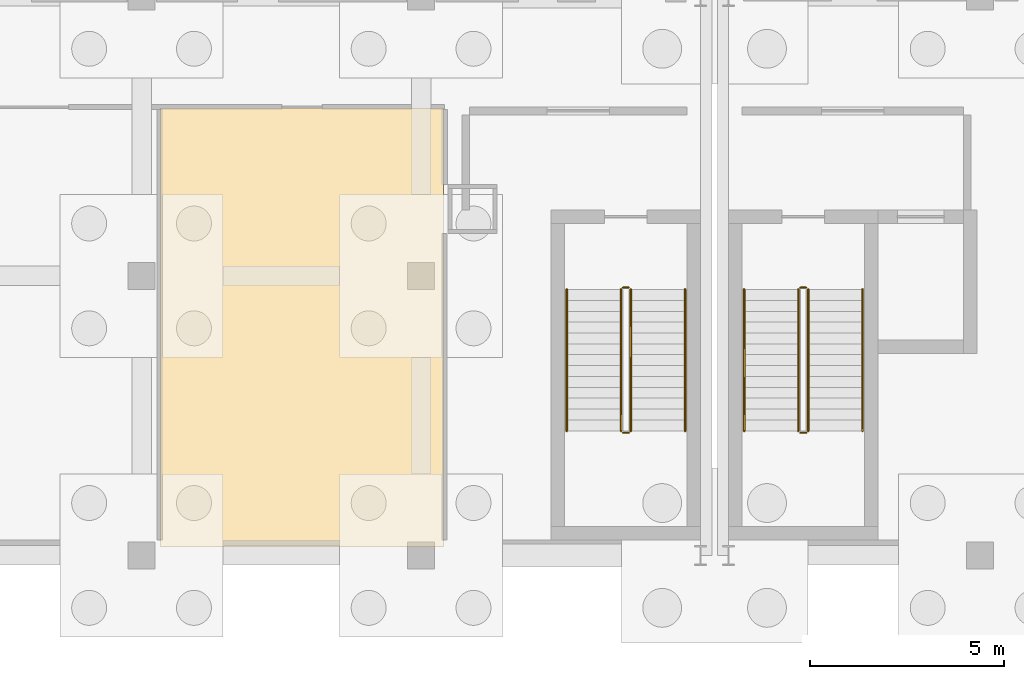
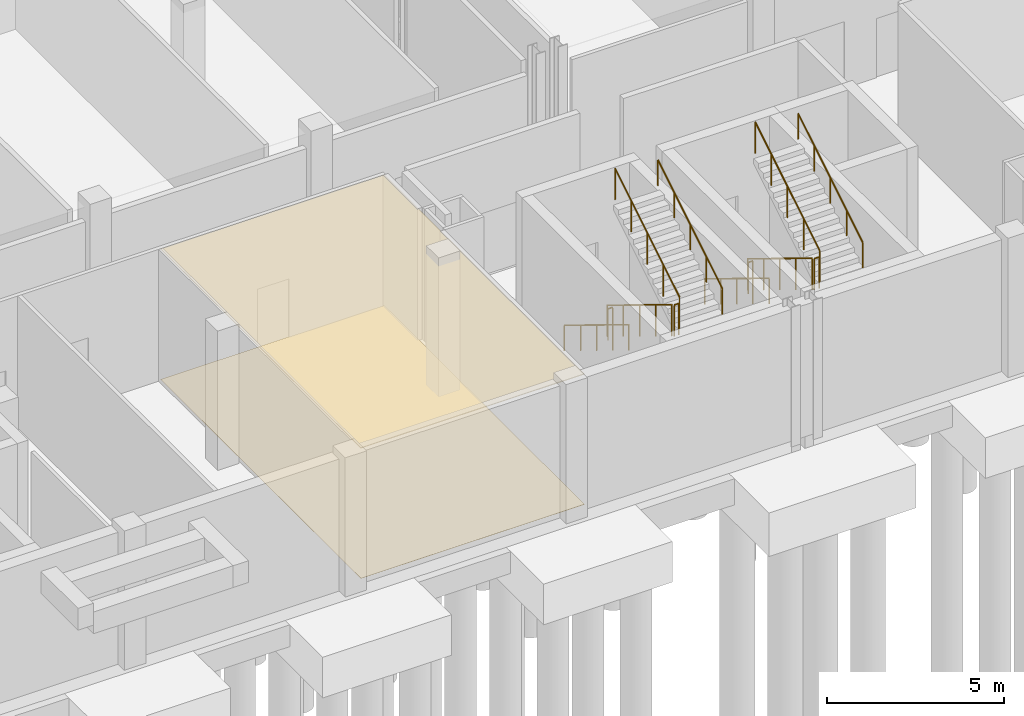
# One storey, part 28 of 35: 12 railings, 2 coverings.
"""IFC4 building model written with IfcOpenShell, lengths in metres."""

import ifcopenshell
import ifcopenshell.guid

model = None  # the IFC model being written
_history = None  # IfcOwnerHistory: only IFC2X3 demands one
_inside = {}  # id of a spatial element -> (the spatial element, [elements in it])
_under = {}  # id of a project, library or spatial element -> (it, [spatial elements below it])
_declared = {}  # id of a project -> (the project, [libraries it declares])
_typed = {}  # id of a type object -> (the type object, [elements of that type])
_made_of = {}  # id of a material, layer set ... -> (it, [elements and type objects made of it])


def new_model(schema):
    """Start an empty IFC model of exactly this schema.

    Asked for "IFC4X3", IfcOpenShell would pick the latest addendum, in which some entities
    have other attributes; the version numbers below select the first issue.
    IFC2X3 requires an IfcOwnerHistory on every rooted entity: one is made here for all.
    """
    global model, _history
    if schema == "IFC4X3":
        model = ifcopenshell.file(schema_version=(4, 3, 0, 0))
    else:
        model = ifcopenshell.file(schema=schema)
    _inside.clear()
    _under.clear()
    _declared.clear()
    _typed.clear()
    _made_of.clear()
    _history = None
    if model.schema == "IFC2X3":
        org = make("IfcOrganization", Name="unknown")
        user = make(
            "IfcPersonAndOrganization",
            ThePerson=make("IfcPerson", FamilyName="unknown"),
            TheOrganization=org,
        )
        app = make(
            "IfcApplication",
            ApplicationDeveloper=org,
            Version="unknown",
            ApplicationFullName="unknown",
            ApplicationIdentifier="unknown",
        )
        _history = make(
            "IfcOwnerHistory",
            OwningUser=user,
            OwningApplication=app,
            ChangeAction="ADDED",
            CreationDate=0,
        )
    return model


def make(cls, **values):
    """One entity of the class cls with the attributes given. An attribute that is None is left unset."""
    return model.create_entity(
        cls, **{name: value for name, value in values.items() if value is not None}
    )


def rooted(cls, **values):
    """An entity with a GlobalId (a new one), such as an element, a storey or a relation."""
    return make(cls, GlobalId=ifcopenshell.guid.new(), OwnerHistory=_history, **values)


def si_unit(unit_type, name, prefix=None):
    """IfcSIUnit, for example si_unit("LENGTHUNIT", "METRE", prefix="MILLI")."""
    return make("IfcSIUnit", UnitType=unit_type, Prefix=prefix, Name=name)


def assignment(units):
    """IfcUnitAssignment: the units of a project."""
    return None if units is None else make("IfcUnitAssignment", Units=units)


def point(xyz):
    """IfcCartesianPoint."""
    return None if xyz is None else make("IfcCartesianPoint", Coordinates=xyz)


def direction(xyz):
    """IfcDirection."""
    return None if xyz is None else make("IfcDirection", DirectionRatios=xyz)


def frame(location, z_axis=None, x_axis=None):
    """IfcAxis2Placement3D, a coordinate frame: its origin and axes. An axis left out is left unset."""
    return make(
        "IfcAxis2Placement3D",
        Location=point(location),
        Axis=direction(z_axis),
        RefDirection=direction(x_axis),
    )


def frame_2d(location, x_axis=None):
    """IfcAxis2Placement2D, a coordinate frame in the plane: its origin and x axis."""
    return make(
        "IfcAxis2Placement2D", Location=point(location), RefDirection=direction(x_axis)
    )


def origin():
    """The frame at (0, 0, 0) with its axes left unset."""
    return frame((0.0, 0.0, 0.0))


def origin_2d():
    """The frame at (0, 0) in the plane with its x axis left unset."""
    return frame_2d((0.0, 0.0))


def place(relative_to, where):
    """IfcLocalPlacement: puts the frame where relative to a parent placement (None: the world)."""
    return make(
        "IfcLocalPlacement", PlacementRelTo=relative_to, RelativePlacement=where
    )


def context(
    kind, dimensions, precision=None, world=None, true_north=None, identifier=None
):
    """IfcGeometricRepresentationContext, for example the 3D "Model" context."""
    return make(
        "IfcGeometricRepresentationContext",
        ContextIdentifier=identifier,
        ContextType=kind,
        CoordinateSpaceDimension=dimensions,
        Precision=precision,
        WorldCoordinateSystem=world,
        TrueNorth=true_north,
    )


def subcontext(parent, identifier, kind, view, scale=None):
    """IfcGeometricRepresentationSubContext, for example "Body" below "Model"."""
    return make(
        "IfcGeometricRepresentationSubContext",
        ContextIdentifier=identifier,
        ContextType=kind,
        ParentContext=parent,
        TargetScale=scale,
        TargetView=view,
    )


def project(units=None, contexts=None):
    """IfcProject with its units and contexts."""
    return rooted(
        "IfcProject",
        Name="project",
        RepresentationContexts=contexts,
        UnitsInContext=assignment(units),
    )


def spatial(cls, under=None, at=None, **own):
    """A site, building, storey or space (cls), placed at a placement, below another one or the project."""
    s = rooted(cls, ObjectPlacement=at, **own)
    if under is not None:
        _under.setdefault(under.id(), (under, []))[1].append(s)
    return s


def polyline(points):
    """IfcPolyline through the points."""
    return make("IfcPolyline", Points=[point(p) for p in points])


def profile(cls, at=None, kind="AREA", **sizes):
    """A parametric profile (cls). Its sizes go by their IFC names, for example OverallWidth=200.0."""
    return make(cls, ProfileType=kind, Position=at, **sizes)


def circle(**sizes):
    """IfcCircleProfileDef."""
    return profile("IfcCircleProfileDef", **sizes)


def outline(outer, holes=None, kind="AREA"):
    """IfcArbitraryClosedProfileDef: a profile drawn as a closed curve; with holes, ...WithVoids."""
    if holes is None:
        return make("IfcArbitraryClosedProfileDef", ProfileType=kind, OuterCurve=outer)
    return make(
        "IfcArbitraryProfileDefWithVoids",
        ProfileType=kind,
        OuterCurve=outer,
        InnerCurves=holes,
    )


def extrude(swept, where, along, depth):
    """IfcExtrudedAreaSolid: the profile swept, set in the frame where, extruded along a direction by depth."""
    return make(
        "IfcExtrudedAreaSolid",
        SweptArea=swept,
        Position=where,
        ExtrudedDirection=direction(along),
        Depth=depth,
    )


def shape(context_of_items, identifier, shape_type, items):
    """IfcShapeRepresentation: the items that make up one representation, for example the "Body"."""
    return make(
        "IfcShapeRepresentation",
        ContextOfItems=context_of_items,
        RepresentationIdentifier=identifier,
        RepresentationType=shape_type,
        Items=items,
    )


def material(Name=None, Category=None):
    """IfcMaterial."""
    return make("IfcMaterial", Name=Name, Category=Category)


def layer(
    of_material, thickness, ventilated=None, Name=None, Category=None, Priority=None
):
    """IfcMaterialLayer: one layer of a wall or slab, of a material (None: an air gap)."""
    return make(
        "IfcMaterialLayer",
        Material=of_material,
        LayerThickness=thickness,
        IsVentilated=ventilated,
        Name=Name,
        Category=Category,
        Priority=Priority,
    )


def layer_set(layers, Name=None):
    """IfcMaterialLayerSet."""
    return make("IfcMaterialLayerSet", MaterialLayers=layers, LayerSetName=Name)


def made_of(thing, what):
    """Note that an element or type object is made of a material, layer set ...; save() writes the relation."""
    if what is not None:
        _made_of.setdefault(what.id(), (what, []))[1].append(thing)
    return thing


def type_object(cls, material=None, **own):
    """A type object (cls), such as IfcWallType, which elements share."""
    return made_of(rooted(cls, **own), material)


def element(
    cls,
    number,
    at=None,
    inside=None,
    cuts=None,
    type_object=None,
    material=None,
    context=None,
    identifier="Body",
    shape_type=None,
    held_by="IfcProductDefinitionShape",
    body=None,
    shapes=None,
    **own,
):
    """One element of the class cls, such as IfcWall. Its Tag is "e" and its number.

    at: its placement. inside: the storey or other place that contains it. cuts: it is an
    opening in that element (IfcRelVoidsElement). A single representation is given by context,
    identifier, shape_type and body (its items); several are given by shapes. held_by: the class
    of the entity that holds the representations. save() writes the other relations.
    """
    e = rooted(cls, Tag="e%d" % number, ObjectPlacement=at, **own)
    if body is not None:
        shapes = [shape(context, identifier, shape_type, body)]
    if shapes is not None:
        e.Representation = make(held_by, Representations=shapes)
    if inside is not None:
        _inside.setdefault(inside.id(), (inside, []))[1].append(e)
    if cuts is not None:
        rooted(
            "IfcRelVoidsElement", RelatingBuildingElement=cuts, RelatedOpeningElement=e
        )
    if type_object is not None:
        _typed.setdefault(type_object.id(), (type_object, []))[1].append(e)
    return made_of(e, material)


def aggregate(whole, parts):
    """IfcRelAggregates: a whole, such as a stair, and the parts it consists of."""
    return rooted("IfcRelAggregates", RelatingObject=whole, RelatedObjects=parts)


def save(model, path):
    """Write the relations noted so far, then the file.

    IfcRelAggregates (storeys below a building ...), IfcRelContainedInSpatialStructure (elements
    in a storey), IfcRelDefinesByType, IfcRelAssociatesMaterial and IfcRelDeclares: one each for
    every whole, place, type object, material and project.
    """
    for whole, parts in _under.values():
        aggregate(whole, parts)
    for where, things in _inside.values():
        rooted(
            "IfcRelContainedInSpatialStructure",
            RelatedElements=things,
            RelatingStructure=where,
        )
    for kind, things in _typed.values():
        rooted("IfcRelDefinesByType", RelatedObjects=things, RelatingType=kind)
    for what, things in _made_of.values():
        rooted("IfcRelAssociatesMaterial", RelatedObjects=things, RelatingMaterial=what)
    for by, libraries in _declared.values():
        rooted("IfcRelDeclares", RelatingContext=by, RelatedDefinitions=libraries)
    model.write(path)


model = new_model("IFC4")

# Units and contexts
model_context = context("Model", 3, precision=1e-05, world=origin(), true_north=direction((0.0, 1.0)))
body_context = subcontext(model_context, "Body", "Model", "MODEL_VIEW")
ifc_project = project(units=[si_unit("LENGTHUNIT", "METRE"), si_unit("AREAUNIT", "SQUARE_METRE"), si_unit("VOLUMEUNIT", "CUBIC_METRE"), si_unit("PLANEANGLEUNIT", "RADIAN"), si_unit("MASSUNIT", "GRAM", prefix="KILO")], contexts=[model_context])

# Site, building, storey
site_placement = place(None, origin())
site = spatial("IfcSite", under=ifc_project, at=site_placement, CompositionType="ELEMENT")
building_placement = place(site_placement, origin())
building = spatial("IfcBuilding", under=site, at=building_placement, Name="Zarrinpeak Specialist Clinic", CompositionType="ELEMENT")
storey_placement = place(building_placement, frame((0.0, 0.0, -4.800048828125)))
storey = spatial("IfcBuildingStorey", under=building, at=storey_placement, Name="B01", CompositionType="ELEMENT", Elevation=-4.800048828125)

# Coverings
ifc_material_1 = material(Name="Hygienic Acoustic Mineral Fibre Tile")
ifc_layer_1 = layer(ifc_material_1, 0.02490234375)
ifc_layer_set_1 = layer_set([ifc_layer_1], Name="Hygienic Acoustic Mineral Fibre Tile")
covering_type_1 = type_object("IfcCoveringType", Name="CV-CEIL-AC", PredefinedType="CEILING", material=ifc_layer_set_1)
covering_1_placement = place(storey_placement, frame((0.0, 0.0, 4.485107421875)))
element("IfcCovering", 1, at=covering_1_placement, inside=storey, type_object=covering_type_1, Name="B01 Specialist Consultation Room 4 Hygienic Acoustic Ceiling", PredefinedType="CEILING", context=body_context, shape_type="SweptSolid", body=[
    extrude(outline(polyline([(43.68994140625, 0.219970703125), (50.97998046875, 0.219970703125), (50.97998046875, 11.530029296875), (43.68994140625, 11.530029296875), (43.68994140625, 0.219970703125)])), origin(), (0.0, 0.0, 1.0), 0.02490234375),
])
ifc_material_2 = material(Name="Homogeneous Antimicrobial Clinical Vinyl")
ifc_layer_2 = layer(ifc_material_2, 0.008056640625)
ifc_layer_set_2 = layer_set([ifc_layer_2], Name="Homogeneous Antimicrobial Clinical Vinyl")
covering_type_2 = type_object("IfcCoveringType", Name="CV-FLR-VN", PredefinedType="FLOORING", material=ifc_layer_set_2)
covering_2_placement = place(storey_placement, frame((0.0, 0.0, 0.0009765625)))
element("IfcCovering", 2, at=covering_2_placement, inside=storey, type_object=covering_type_2, Name="B01 Specialist Consultation Room 4 Antimicrobial Vinyl Flooring", PredefinedType="FLOORING", context=body_context, shape_type="SweptSolid", body=[
    extrude(outline(polyline([(43.68994140625, 0.219970703125), (50.97998046875, 0.219970703125), (50.97998046875, 11.530029296875), (43.68994140625, 11.530029296875), (43.68994140625, 0.219970703125)])), origin(), (0.0, 0.0, 1.0), 0.008056640625),
])

# Railings
ifc_material_3 = material(Name="Laminated Safety Glass and Stainless Steel 316", Category="steel")
ifc_layer_3 = layer(ifc_material_3, 0.06005859375)
ifc_layer_set_3 = layer_set([ifc_layer_3], Name="Laminated Safety Glass and Stainless Steel 316")
railing_type_1 = type_object("IfcRailingType", Name="RL-GRD115", PredefinedType="GUARDRAIL", material=ifc_layer_set_3)
railing_1_placement = place(storey_placement, frame((55.550048828125, 6.85009765625, 0.17138671875)))
element("IfcRailing", 3, at=railing_1_placement, inside=storey, type_object=railing_type_1, Name="B01 ST-04 stair guard 1", PredefinedType="GUARDRAIL", context=body_context, shape_type="SweptSolid", body=[
    extrude(circle(Radius=0.02392578125, at=origin_2d()), frame((0.0, 0.0, 1.076171875), z_axis=(0.0, -0.852840387347, 0.522171689878), x_axis=(1.0, 0.0, 0.0)), (0.0, 0.0, 1.0), 4.268310546875),
    extrude(circle(Radius=0.02099609375, at=origin_2d()), origin(), (0.0, 0.0, 1.0), 1.052001953125),
    extrude(circle(Radius=0.02099609375, at=origin_2d()), frame((0.0, -0.91015625, 0.55712890625)), (0.0, 0.0, 1.0), 1.052001953125),
    extrude(circle(Radius=0.02099609375, at=origin_2d()), frame((0.0, -1.820068359375, 1.1142578125)), (0.0, 0.0, 1.0), 1.052001953125),
    extrude(circle(Radius=0.02099609375, at=origin_2d()), frame((0.0, -2.72998046875, 1.671630859375)), (0.0, 0.0, 1.0), 1.052001953125),
    extrude(circle(Radius=0.02099609375, at=origin_2d()), frame((0.0, -3.64013671875, 2.228759765625)), (0.0, 0.0, 1.0), 1.052001953125),
])
railing_2_placement = place(storey_placement, frame((55.60009765625, 3.159912109375, 2.400146484375)))
element("IfcRailing", 4, at=railing_2_placement, inside=storey, type_object=railing_type_1, Name="B01 ST-04 stair guard 2", PredefinedType="GUARDRAIL", context=body_context, shape_type="SweptSolid", body=[
    extrude(circle(Radius=0.02392578125, at=origin_2d()), frame((0.0, 0.0, 1.076171875), z_axis=(1.0, 0.0, 0.0), x_axis=(0.0, 1.0, 0.0)), (0.0, 0.0, 1.0), 0.14990234375),
    extrude(circle(Radius=0.02099609375, at=origin_2d()), origin(), (0.0, 0.0, 1.0), 1.052001953125),
    extrude(circle(Radius=0.02099609375, at=origin_2d()), frame((0.14990234375, 0.0, 0.0)), (0.0, 0.0, 1.0), 1.052001953125),
])
railing_3_placement = place(storey_placement, frame((55.800048828125, 3.2099609375, 2.571533203125)))
element("IfcRailing", 5, at=railing_3_placement, inside=storey, type_object=railing_type_1, Name="B01 ST-04 stair guard 3", PredefinedType="GUARDRAIL", context=body_context, shape_type="SweptSolid", body=[
    extrude(circle(Radius=0.02392578125, at=origin_2d()), frame((0.0, 0.0, 1.076171875), z_axis=(0.0, 0.852865859571, 0.52213008492), x_axis=(-1.0, 0.0, 0.0)), (0.0, 0.0, 1.0), 4.26806640625),
    extrude(circle(Radius=0.02099609375, at=origin_2d()), origin(), (0.0, 0.0, 1.0), 1.052001953125),
    extrude(circle(Radius=0.02099609375, at=origin_2d()), frame((0.0, 0.91015625, 0.55712890625)), (0.0, 0.0, 1.0), 1.052001953125),
    extrude(circle(Radius=0.02099609375, at=origin_2d()), frame((0.0, 1.820068359375, 1.1142578125)), (0.0, 0.0, 1.0), 1.052001953125),
    extrude(circle(Radius=0.02099609375, at=origin_2d()), frame((0.0, 2.72998046875, 1.67138671875)), (0.0, 0.0, 1.0), 1.052001953125),
    extrude(circle(Radius=0.02099609375, at=origin_2d()), frame((0.0, 3.64013671875, 2.228515625)), (0.0, 0.0, 1.0), 1.052001953125),
])
railing_4_placement = place(storey_placement, frame((55.60009765625, 6.89990234375, 0.0)))
element("IfcRailing", 6, at=railing_4_placement, inside=storey, type_object=railing_type_1, Name="B01 ST-04 stair guard 4", PredefinedType="GUARDRAIL", context=body_context, shape_type="SweptSolid", body=[
    extrude(circle(Radius=0.02392578125, at=origin_2d()), frame((0.0, 0.0, 1.076171875), z_axis=(1.0, 0.0, 0.0), x_axis=(0.0, 1.0, 0.0)), (0.0, 0.0, 1.0), 0.14990234375),
    extrude(circle(Radius=0.02099609375, at=origin_2d()), origin(), (0.0, 0.0, 1.0), 1.052001953125),
    extrude(circle(Radius=0.02099609375, at=origin_2d()), frame((0.14990234375, 0.0, 0.0)), (0.0, 0.0, 1.0), 1.052001953125),
])
railing_5_placement = place(storey_placement, frame((60.1201171875, 6.85009765625, 0.17138671875)))
element("IfcRailing", 7, at=railing_5_placement, inside=storey, type_object=railing_type_1, Name="B01 ST-07 stair guard 1", PredefinedType="GUARDRAIL", context=body_context, shape_type="SweptSolid", body=[
    extrude(circle(Radius=0.02392578125, at=origin_2d()), frame((0.0, 0.0, 1.076171875), z_axis=(0.0, -0.852840387347, 0.522171689878), x_axis=(1.0, 0.0, 0.0)), (0.0, 0.0, 1.0), 4.268310546875),
    extrude(circle(Radius=0.02099609375, at=origin_2d()), origin(), (0.0, 0.0, 1.0), 1.052001953125),
    extrude(circle(Radius=0.02099609375, at=origin_2d()), frame((0.0, -0.91015625, 0.55712890625)), (0.0, 0.0, 1.0), 1.052001953125),
    extrude(circle(Radius=0.02099609375, at=origin_2d()), frame((0.0, -1.820068359375, 1.1142578125)), (0.0, 0.0, 1.0), 1.052001953125),
    extrude(circle(Radius=0.02099609375, at=origin_2d()), frame((0.0, -2.72998046875, 1.671630859375)), (0.0, 0.0, 1.0), 1.052001953125),
    extrude(circle(Radius=0.02099609375, at=origin_2d()), frame((0.0, -3.64013671875, 2.228759765625)), (0.0, 0.0, 1.0), 1.052001953125),
])
railing_6_placement = place(storey_placement, frame((60.169921875, 3.159912109375, 2.400146484375)))
element("IfcRailing", 8, at=railing_6_placement, inside=storey, type_object=railing_type_1, Name="B01 ST-07 stair guard 2", PredefinedType="GUARDRAIL", context=body_context, shape_type="SweptSolid", body=[
    extrude(circle(Radius=0.02392578125, at=origin_2d()), frame((0.0, 0.0, 1.076171875), z_axis=(1.0, 0.0, 0.0), x_axis=(0.0, 1.0, 0.0)), (0.0, 0.0, 1.0), 0.150146484375),
    extrude(circle(Radius=0.02099609375, at=origin_2d()), origin(), (0.0, 0.0, 1.0), 1.052001953125),
    extrude(circle(Radius=0.02099609375, at=origin_2d()), frame((0.150146484375, 0.0, 0.0)), (0.0, 0.0, 1.0), 1.052001953125),
])
railing_7_placement = place(storey_placement, frame((60.3701171875, 3.2099609375, 2.571533203125)))
element("IfcRailing", 9, at=railing_7_placement, inside=storey, type_object=railing_type_1, Name="B01 ST-07 stair guard 3", PredefinedType="GUARDRAIL", context=body_context, shape_type="SweptSolid", body=[
    extrude(circle(Radius=0.02392578125, at=origin_2d()), frame((0.0, 0.0, 1.076171875), z_axis=(0.0, 0.852865859571, 0.52213008492), x_axis=(-1.0, 0.0, 0.0)), (0.0, 0.0, 1.0), 4.26806640625),
    extrude(circle(Radius=0.02099609375, at=origin_2d()), origin(), (0.0, 0.0, 1.0), 1.052001953125),
    extrude(circle(Radius=0.02099609375, at=origin_2d()), frame((0.0, 0.91015625, 0.55712890625)), (0.0, 0.0, 1.0), 1.052001953125),
    extrude(circle(Radius=0.02099609375, at=origin_2d()), frame((0.0, 1.820068359375, 1.1142578125)), (0.0, 0.0, 1.0), 1.052001953125),
    extrude(circle(Radius=0.02099609375, at=origin_2d()), frame((0.0, 2.72998046875, 1.67138671875)), (0.0, 0.0, 1.0), 1.052001953125),
    extrude(circle(Radius=0.02099609375, at=origin_2d()), frame((0.0, 3.64013671875, 2.228515625)), (0.0, 0.0, 1.0), 1.052001953125),
])
railing_8_placement = place(storey_placement, frame((60.169921875, 6.89990234375, 0.0)))
element("IfcRailing", 10, at=railing_8_placement, inside=storey, type_object=railing_type_1, Name="B01 ST-07 stair guard 4", PredefinedType="GUARDRAIL", context=body_context, shape_type="SweptSolid", body=[
    extrude(circle(Radius=0.02392578125, at=origin_2d()), frame((0.0, 0.0, 1.076171875), z_axis=(1.0, 0.0, 0.0), x_axis=(0.0, 1.0, 0.0)), (0.0, 0.0, 1.0), 0.150146484375),
    extrude(circle(Radius=0.02099609375, at=origin_2d()), origin(), (0.0, 0.0, 1.0), 1.052001953125),
    extrude(circle(Radius=0.02099609375, at=origin_2d()), frame((0.150146484375, 0.0, 0.0)), (0.0, 0.0, 1.0), 1.052001953125),
])
ifc_material_4 = material(Name="Brushed Stainless Steel 316 Handrail", Category="steel")
ifc_layer_4 = layer(ifc_material_4, 0.050048828125)
ifc_layer_set_4 = layer_set([ifc_layer_4], Name="Brushed Stainless Steel 316 Handrail")
railing_type_2 = type_object("IfcRailingType", Name="RL-HND92", PredefinedType="HANDRAIL", material=ifc_layer_set_4)
railing_9_placement = place(storey_placement, frame((54.14990234375, 6.85009765625, 0.17138671875)))
element("IfcRailing", 11, at=railing_9_placement, inside=storey, type_object=railing_type_2, Name="B01 ST-04 stair handrail 1", PredefinedType="HANDRAIL", context=body_context, shape_type="SweptSolid", body=[
    extrude(circle(Radius=0.02392578125, at=origin_2d()), frame((0.0, 0.0, 0.8759765625), z_axis=(0.0, -0.852840387347, 0.522171689878), x_axis=(1.0, 0.0, 0.0)), (0.0, 0.0, 1.0), 4.268310546875),
    extrude(circle(Radius=0.02099609375, at=origin_2d()), origin(), (0.0, 0.0, 1.0), 0.851806640625),
    extrude(circle(Radius=0.02099609375, at=origin_2d()), frame((0.0, -0.91015625, 0.55712890625)), (0.0, 0.0, 1.0), 0.851806640625),
    extrude(circle(Radius=0.02099609375, at=origin_2d()), frame((0.0, -1.820068359375, 1.1142578125)), (0.0, 0.0, 1.0), 0.851806640625),
    extrude(circle(Radius=0.02099609375, at=origin_2d()), frame((0.0, -2.72998046875, 1.671630859375)), (0.0, 0.0, 1.0), 0.851806640625),
    extrude(circle(Radius=0.02099609375, at=origin_2d()), frame((0.0, -3.64013671875, 2.228759765625)), (0.0, 0.0, 1.0), 0.851806640625),
])
railing_10_placement = place(storey_placement, frame((57.199951171875, 3.2099609375, 2.571533203125)))
element("IfcRailing", 12, at=railing_10_placement, inside=storey, type_object=railing_type_2, Name="B01 ST-04 stair handrail 2", PredefinedType="HANDRAIL", context=body_context, shape_type="SweptSolid", body=[
    extrude(circle(Radius=0.02392578125, at=origin_2d()), frame((0.0, 0.0, 0.8759765625), z_axis=(0.0, 0.852865859571, 0.52213008492), x_axis=(-1.0, 0.0, 0.0)), (0.0, 0.0, 1.0), 4.26806640625),
    extrude(circle(Radius=0.02099609375, at=origin_2d()), origin(), (0.0, 0.0, 1.0), 0.851806640625),
    extrude(circle(Radius=0.02099609375, at=origin_2d()), frame((0.0, 0.91015625, 0.55712890625)), (0.0, 0.0, 1.0), 0.851806640625),
    extrude(circle(Radius=0.02099609375, at=origin_2d()), frame((0.0, 1.820068359375, 1.1142578125)), (0.0, 0.0, 1.0), 0.851806640625),
    extrude(circle(Radius=0.02099609375, at=origin_2d()), frame((0.0, 2.72998046875, 1.67138671875)), (0.0, 0.0, 1.0), 0.851806640625),
    extrude(circle(Radius=0.02099609375, at=origin_2d()), frame((0.0, 3.64013671875, 2.228515625)), (0.0, 0.0, 1.0), 0.851806640625),
])
railing_11_placement = place(storey_placement, frame((58.719970703125, 6.85009765625, 0.17138671875)))
element("IfcRailing", 13, at=railing_11_placement, inside=storey, type_object=railing_type_2, Name="B01 ST-07 stair handrail 1", PredefinedType="HANDRAIL", context=body_context, shape_type="SweptSolid", body=[
    extrude(circle(Radius=0.02392578125, at=origin_2d()), frame((0.0, 0.0, 0.8759765625), z_axis=(0.0, -0.852840387347, 0.522171689878), x_axis=(1.0, 0.0, 0.0)), (0.0, 0.0, 1.0), 4.268310546875),
    extrude(circle(Radius=0.02099609375, at=origin_2d()), origin(), (0.0, 0.0, 1.0), 0.851806640625),
    extrude(circle(Radius=0.02099609375, at=origin_2d()), frame((0.0, -0.91015625, 0.55712890625)), (0.0, 0.0, 1.0), 0.851806640625),
    extrude(circle(Radius=0.02099609375, at=origin_2d()), frame((0.0, -1.820068359375, 1.1142578125)), (0.0, 0.0, 1.0), 0.851806640625),
    extrude(circle(Radius=0.02099609375, at=origin_2d()), frame((0.0, -2.72998046875, 1.671630859375)), (0.0, 0.0, 1.0), 0.851806640625),
    extrude(circle(Radius=0.02099609375, at=origin_2d()), frame((0.0, -3.64013671875, 2.228759765625)), (0.0, 0.0, 1.0), 0.851806640625),
])
railing_12_placement = place(storey_placement, frame((61.77001953125, 3.2099609375, 2.571533203125)))
element("IfcRailing", 14, at=railing_12_placement, inside=storey, type_object=railing_type_2, Name="B01 ST-07 stair handrail 2", PredefinedType="HANDRAIL", context=body_context, shape_type="SweptSolid", body=[
    extrude(circle(Radius=0.02392578125, at=origin_2d()), frame((0.0, 0.0, 0.8759765625), z_axis=(0.0, 0.852865859571, 0.52213008492), x_axis=(-1.0, 0.0, 0.0)), (0.0, 0.0, 1.0), 4.26806640625),
    extrude(circle(Radius=0.02099609375, at=origin_2d()), origin(), (0.0, 0.0, 1.0), 0.851806640625),
    extrude(circle(Radius=0.02099609375, at=origin_2d()), frame((0.0, 0.91015625, 0.55712890625)), (0.0, 0.0, 1.0), 0.851806640625),
    extrude(circle(Radius=0.02099609375, at=origin_2d()), frame((0.0, 1.820068359375, 1.1142578125)), (0.0, 0.0, 1.0), 0.851806640625),
    extrude(circle(Radius=0.02099609375, at=origin_2d()), frame((0.0, 2.72998046875, 1.67138671875)), (0.0, 0.0, 1.0), 0.851806640625),
    extrude(circle(Radius=0.02099609375, at=origin_2d()), frame((0.0, 3.64013671875, 2.228515625)), (0.0, 0.0, 1.0), 0.851806640625),
])

save(model, "model.ifc")
